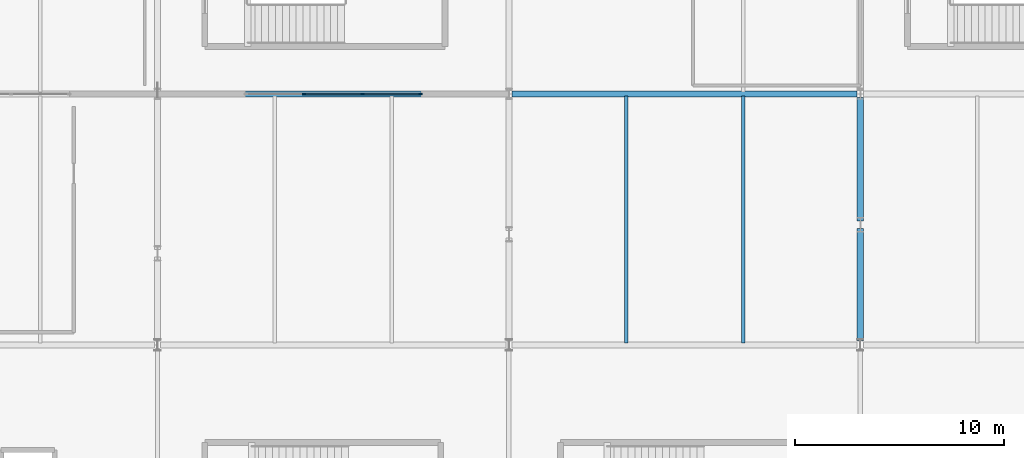
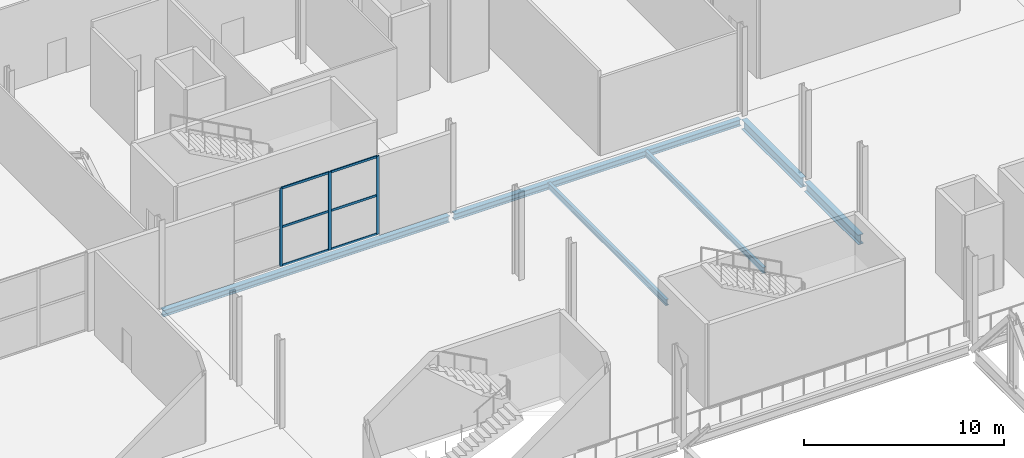
# One storey, part 30 of 84: 9 members, 6 beams, 1 element without a shape of its own.
"""IFC4 building model written with IfcOpenShell, lengths in metres."""

from ifc_helpers import new_model, si_unit, direction, frame, origin, origin_2d, place, context, subcontext, project, spatial, rectangle, i_section, extrude, material, material_profile, profile_set, type_object, element, aggregate, save


model = new_model("IFC4")

# Units and contexts
model_context = context("Model", 3, precision=1e-05, world=origin(), true_north=direction((0.0, 1.0)))
body_context = subcontext(model_context, "Body", "Model", "MODEL_VIEW")
ifc_project = project(units=[si_unit("LENGTHUNIT", "METRE"), si_unit("AREAUNIT", "SQUARE_METRE"), si_unit("VOLUMEUNIT", "CUBIC_METRE"), si_unit("PLANEANGLEUNIT", "RADIAN"), si_unit("MASSUNIT", "GRAM", prefix="KILO")], contexts=[model_context])

# Site, building, storey
site_placement = place(None, origin())
site = spatial("IfcSite", under=ifc_project, at=site_placement, CompositionType="ELEMENT")
building_placement = place(site_placement, origin())
building = spatial("IfcBuilding", under=site, at=building_placement, Name="Kimbaza Rail Terminus", CompositionType="ELEMENT")
storey_placement = place(building_placement, frame((0.0, 0.0, 5.39990234375)))
storey = spatial("IfcBuildingStorey", under=building, at=storey_placement, Name="L01", CompositionType="ELEMENT", Elevation=5.39990234375)

# Curtain wall, members
ifc_material_1 = material(Name="Anodised aluminium framing and solar low-E glazing", Category="aluminium")
curtain_wall_type = type_object("IfcCurtainWallType", Name="ARC-CW-OP1", PredefinedType="USERDEFINED", material=ifc_material_1)
curtain_wall_placement = place(storey_placement, origin())
curtain_wall = element("IfcCurtainWall", 1, at=curtain_wall_placement, inside=storey, type_object=curtain_wall_type, Name="Operations South Curtain Wall L01 Bay 2", ObjectType="UNITISED CURTAIN WALL", PredefinedType="USERDEFINED")
ifc_material_2 = material(Name="Anodised architectural aluminium", Category="aluminium")
ifc_material_profile_1 = material_profile(ifc_material_2, rectangle(XDim=0.06201171875, YDim=0.1650390625, at=origin_2d()), Name="MULLION 62x165")
ifc_profile_set_1 = profile_set([ifc_material_profile_1], Name="Anodised architectural aluminium")
member_type_1 = type_object("IfcMemberType", Name="ARC-CWM-05", PredefinedType="MULLION", material=ifc_profile_set_1)
member_1_placement = place(storey_placement, frame((79.0, 103.0, 0.0), z_axis=(0.0, 0.0, 1.0), x_axis=(0.0, 1.0, 0.0)))
member_1 = element("IfcMember", 2, at=member_1_placement, type_object=member_type_1, Name="CW-05 mullion 2", PredefinedType="MULLION", context=body_context, shape_type="SweptSolid", body=[
    extrude(rectangle(XDim=0.06201171875, YDim=0.1650390625, at=origin_2d()), origin(), (0.0, 0.0, 1.0), 4.76513671875),
])
member_2_placement = place(storey_placement, frame((81.800048828125, 103.0, 0.0), z_axis=(0.0, 0.0, 1.0), x_axis=(0.0, 1.0, 0.0)))
member_2 = element("IfcMember", 3, at=member_2_placement, type_object=member_type_1, Name="CW-05 mullion 3", PredefinedType="MULLION", context=body_context, shape_type="SweptSolid", body=[
    extrude(rectangle(XDim=0.06201171875, YDim=0.1650390625, at=origin_2d()), origin(), (0.0, 0.0, 1.0), 4.76513671875),
])
member_3_placement = place(storey_placement, frame((84.569091796875, 103.0, 0.0), z_axis=(0.0, 0.0, 1.0), x_axis=(0.0, 1.0, 0.0)))
member_3 = element("IfcMember", 4, at=member_3_placement, type_object=member_type_1, Name="CW-05 mullion 4", PredefinedType="MULLION", context=body_context, shape_type="SweptSolid", body=[
    extrude(rectangle(XDim=0.06201171875, YDim=0.1650390625, at=origin_2d()), origin(), (0.0, 0.0, 1.0), 4.76513671875),
])
ifc_material_3 = material(Name="Anodised architectural aluminium", Category="aluminium")
ifc_material_profile_2 = material_profile(ifc_material_3, rectangle(XDim=0.06201171875, YDim=0.135009765625, at=origin_2d()), Name="TRANSOM 62x135")
ifc_profile_set_2 = profile_set([ifc_material_profile_2], Name="Anodised architectural aluminium")
member_type_2 = type_object("IfcMemberType", Name="ARC-CWT-05", PredefinedType="USERDEFINED", material=ifc_profile_set_2)
member_4_placement = place(storey_placement, frame((79.031005859375, 103.0, 0.031005859375), z_axis=(1.0, 0.0, 0.0), x_axis=(0.0, 1.0, 0.0)))
member_4 = element("IfcMember", 5, at=member_4_placement, type_object=member_type_2, Name="CW-05 transom 2.1", ObjectType="TRANSOM", PredefinedType="USERDEFINED", context=body_context, shape_type="SweptSolid", body=[
    extrude(rectangle(XDim=0.06201171875, YDim=0.135009765625, at=origin_2d()), origin(), (0.0, 0.0, 1.0), 2.738037109375),
])
member_5_placement = place(storey_placement, frame((79.031005859375, 103.0, 2.382568359375), z_axis=(1.0, 0.0, 0.0), x_axis=(0.0, 1.0, 0.0)))
member_5 = element("IfcMember", 6, at=member_5_placement, type_object=member_type_2, Name="CW-05 transom 2.2", ObjectType="TRANSOM", PredefinedType="USERDEFINED", context=body_context, shape_type="SweptSolid", body=[
    extrude(rectangle(XDim=0.06201171875, YDim=0.135009765625, at=origin_2d()), origin(), (0.0, 0.0, 1.0), 2.738037109375),
])
member_6_placement = place(storey_placement, frame((79.031005859375, 103.0, 4.734130859375), z_axis=(1.0, 0.0, 0.0), x_axis=(0.0, 1.0, 0.0)))
member_6 = element("IfcMember", 7, at=member_6_placement, type_object=member_type_2, Name="CW-05 transom 2.3", ObjectType="TRANSOM", PredefinedType="USERDEFINED", context=body_context, shape_type="SweptSolid", body=[
    extrude(rectangle(XDim=0.06201171875, YDim=0.135009765625, at=origin_2d()), origin(), (0.0, 0.0, 1.0), 2.738037109375),
])
member_7_placement = place(storey_placement, frame((81.8310546875, 103.0, 0.031005859375), z_axis=(1.0, 0.0, 0.0), x_axis=(0.0, 1.0, 0.0)))
member_7 = element("IfcMember", 8, at=member_7_placement, type_object=member_type_2, Name="CW-05 transom 3.1", ObjectType="TRANSOM", PredefinedType="USERDEFINED", context=body_context, shape_type="SweptSolid", body=[
    extrude(rectangle(XDim=0.06201171875, YDim=0.135009765625, at=origin_2d()), origin(), (0.0, 0.0, 1.0), 2.70703125),
])
member_8_placement = place(storey_placement, frame((81.8310546875, 103.0, 2.382568359375), z_axis=(1.0, 0.0, 0.0), x_axis=(0.0, 1.0, 0.0)))
member_8 = element("IfcMember", 9, at=member_8_placement, type_object=member_type_2, Name="CW-05 transom 3.2", ObjectType="TRANSOM", PredefinedType="USERDEFINED", context=body_context, shape_type="SweptSolid", body=[
    extrude(rectangle(XDim=0.06201171875, YDim=0.135009765625, at=origin_2d()), origin(), (0.0, 0.0, 1.0), 2.70703125),
])
member_9_placement = place(storey_placement, frame((81.8310546875, 103.0, 4.734130859375), z_axis=(1.0, 0.0, 0.0), x_axis=(0.0, 1.0, 0.0)))
member_9 = element("IfcMember", 10, at=member_9_placement, type_object=member_type_2, Name="CW-05 transom 3.3", ObjectType="TRANSOM", PredefinedType="USERDEFINED", context=body_context, shape_type="SweptSolid", body=[
    extrude(rectangle(XDim=0.06201171875, YDim=0.135009765625, at=origin_2d()), origin(), (0.0, 0.0, 1.0), 2.70703125),
])
aggregate(curtain_wall, [member_1, member_2, member_3, member_4, member_5, member_6, member_7, member_8, member_9])

# Beams
ifc_material_4 = material(Name="Steel S355", Category="steel")
ifc_material_profile_3 = material_profile(ifc_material_4, i_section(OverallWidth=0.300048828125, OverallDepth=0.389892578125, WebThickness=0.010986328125, FlangeThickness=0.01904296875, FilletRadius=0.027099609375, at=origin_2d()), Name="HEA 400")
ifc_profile_set_3 = profile_set([ifc_material_profile_3], Name="Steel S355")
beam_type_1 = type_object("IfcBeamType", Name="STR-BM-HEA400", PredefinedType="SPANDREL", material=ifc_profile_set_3)
for number, where, z_axis, x_axis, name in (
    (11, (72.14599609375, 103.0, -0.434814453125), (1.0, 0.0, 0.0), (0.0, 1.0, 0.0), "Operations Girder L01 X1-Y0"),
    (12, (88.946044921875, 103.0, -0.434814453125), (1.0, 0.0, 0.0), (0.0, 1.0, 0.0), "Operations Girder L01 X2-Y0"),
):
    element("IfcBeam", number, at=place(storey_placement, frame(where, z_axis=z_axis, x_axis=x_axis)), inside=storey, type_object=beam_type_1, Name=name, PredefinedType="SPANDREL", context=body_context, shape_type="SweptSolid", body=[
        extrude(i_section(OverallWidth=0.300048828125, OverallDepth=0.389892578125, WebThickness=0.010986328125, FlangeThickness=0.01904296875, FilletRadius=0.027099609375, at=origin_2d()), origin(), (0.0, 0.0, 1.0), 16.508056640625),
    ])
ifc_material_5 = material(Name="Steel S355", Category="steel")
ifc_material_profile_4 = material_profile(ifc_material_5, i_section(OverallWidth=0.300048828125, OverallDepth=0.60009765625, WebThickness=0.015380859375, FlangeThickness=0.030029296875, FilletRadius=0.027099609375, at=origin_2d()), Name="HEB 600")
ifc_profile_set_4 = profile_set([ifc_material_profile_4], Name="Steel S355")
beam_type_2 = type_object("IfcBeamType", Name="STR-BM-HEB600", PredefinedType="BEAM", material=ifc_profile_set_4)
beam_1_placement = place(storey_placement, frame((105.60009765625, 91.175048828125, -0.52001953125), z_axis=(0.0, 1.0, 0.0), x_axis=(-1.0, 0.0, 0.0)))
element("IfcBeam", 13, at=beam_1_placement, inside=storey, type_object=beam_type_2, Name="Beam BM-VSPN-L01-5", PredefinedType="BEAM", context=body_context, shape_type="SweptSolid", body=[
    extrude(i_section(OverallWidth=0.300048828125, OverallDepth=0.60009765625, WebThickness=0.015380859375, FlangeThickness=0.030029296875, FilletRadius=0.027099609375, at=origin_2d()), origin(), (0.0, 0.0, 1.0), 5.39306640625),
])
beam_2_placement = place(storey_placement, frame((105.60009765625, 96.918212890625, -0.52001953125), z_axis=(0.0, 1.0, 0.0), x_axis=(-1.0, 0.0, 0.0)))
element("IfcBeam", 14, at=beam_2_placement, inside=storey, type_object=beam_type_2, Name="Beam BM-VSPN2-L01-5", PredefinedType="BEAM", context=body_context, shape_type="SweptSolid", body=[
    extrude(i_section(OverallWidth=0.300048828125, OverallDepth=0.60009765625, WebThickness=0.015380859375, FlangeThickness=0.030029296875, FilletRadius=0.027099609375, at=origin_2d()), origin(), (0.0, 0.0, 1.0), 5.90673828125),
])
ifc_material_6 = material(Name="Steel S355", Category="steel")
ifc_material_profile_5 = material_profile(ifc_material_6, i_section(OverallWidth=0.169921875, OverallDepth=0.360107421875, WebThickness=0.008056640625, FlangeThickness=0.0126953125, FilletRadius=0.01806640625, at=origin_2d()), Name="IPE 360")
ifc_profile_set_5 = profile_set([ifc_material_profile_5], Name="Steel S355")
beam_type_3 = type_object("IfcBeamType", Name="STR-BM-IPE360", PredefinedType="JOIST", material=ifc_profile_set_5)
for number, where, z_axis, x_axis, name in (
    (15, (94.39990234375, 91.10009765625, -0.39990234375), (0.0, 1.0, 0.0), (-1.0, 0.0, 0.0), "Beam JST-V2-L01-2-1-91"),
    (16, (100.0, 91.10009765625, -0.39990234375), (0.0, 1.0, 0.0), (-1.0, 0.0, 0.0), "Beam JST-V2-L01-2-2-91"),
):
    element("IfcBeam", number, at=place(storey_placement, frame(where, z_axis=z_axis, x_axis=x_axis)), inside=storey, type_object=beam_type_3, Name=name, PredefinedType="JOIST", context=body_context, shape_type="SweptSolid", body=[
        extrude(i_section(OverallWidth=0.169921875, OverallDepth=0.360107421875, WebThickness=0.008056640625, FlangeThickness=0.0126953125, FilletRadius=0.01806640625, at=origin_2d()), origin(), (0.0, 0.0, 1.0), 11.7998046875),
    ])

save(model, "model.ifc")
